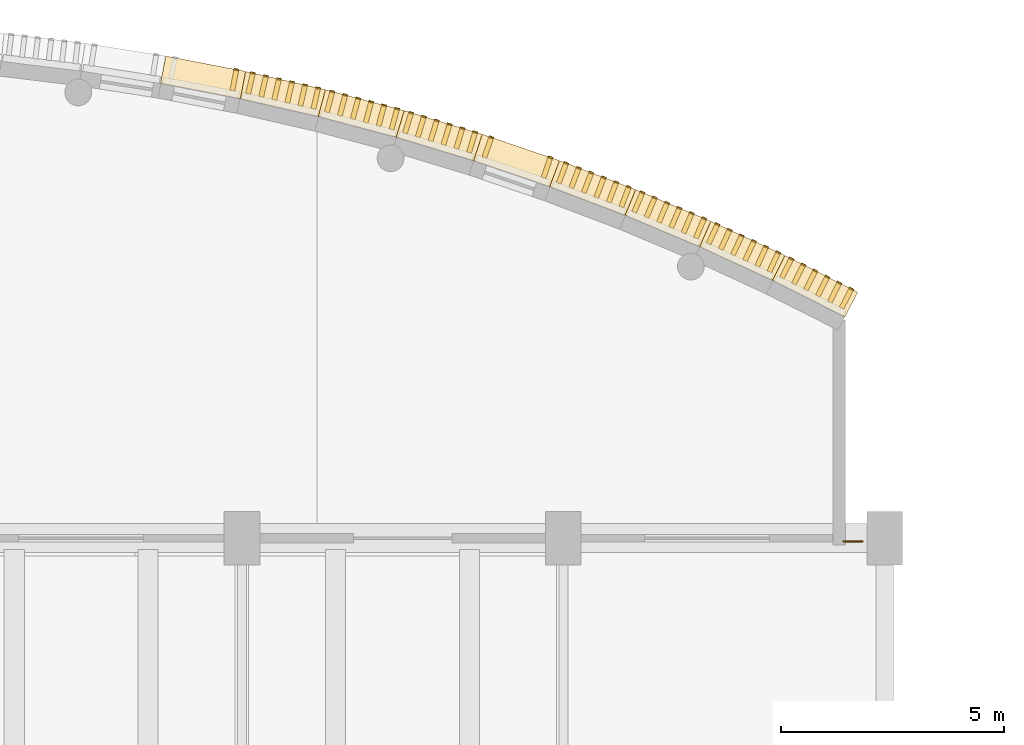
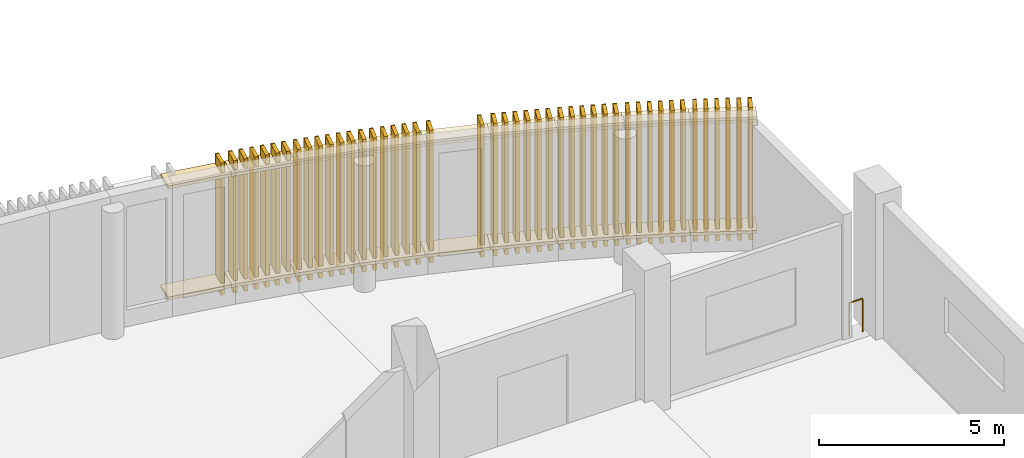
# One storey, part 69 of 71: 63 coverings, 45 shading devices, 1 railing.
"""IFC4 building model written with IfcOpenShell, lengths in metres."""

from ifc_helpers import new_model, si_unit, direction, frame, origin, origin_2d, place, context, subcontext, project, spatial, rectangle, circle, extrude, material, layer, layer_set, type_object, element, save


model = new_model("IFC4")

# Units and contexts
model_context = context("Model", 3, precision=1e-05, world=origin(), true_north=direction((0.0, 1.0)))
body_context = subcontext(model_context, "Body", "Model", "MODEL_VIEW")
ifc_project = project(units=[si_unit("LENGTHUNIT", "METRE"), si_unit("AREAUNIT", "SQUARE_METRE"), si_unit("VOLUMEUNIT", "CUBIC_METRE"), si_unit("PLANEANGLEUNIT", "RADIAN"), si_unit("MASSUNIT", "GRAM", prefix="KILO")], contexts=[model_context])

# Site, building, storey
site_placement = place(None, origin())
site = spatial("IfcSite", under=ifc_project, at=site_placement, CompositionType="ELEMENT")
building_placement = place(site_placement, origin())
building = spatial("IfcBuilding", under=site, at=building_placement, Name="Sardonyx Promenade Sports Hall", CompositionType="ELEMENT")
storey_placement = place(building_placement, frame((0.0, 0.0, 16.0)))
storey = spatial("IfcBuildingStorey", under=building, at=storey_placement, Name="L03", CompositionType="ELEMENT", Elevation=16.0)

# Coverings
ifc_material_1 = material(Name="Glulam GL28h", Category="wood")
ifc_layer = layer(ifc_material_1, 0.110107421875)
ifc_layer_set = layer_set([ifc_layer], Name="Cov_Louvre_GL28h")
covering_type = type_object("IfcCoveringType", Name="Cov_Louvre_GL28h", PredefinedType="MOLDING", material=ifc_layer_set)
for number, where, z_axis, x_axis, name in (
    (1, (63.93017578125, 114.72412109375, 0.320068359375), (0.0, 0.0, 1.0), (0.981929658139, -0.18924625879, 0.0), "Bowed louvre carrier rail L03 CH20 #1"),
    (2, (63.93017578125, 114.72412109375, 3.97998046875), (0.0, 0.0, 1.0), (0.981929658139, -0.18924625879, 0.0), "Bowed louvre carrier rail L03 CH20 #2"),
):
    element("IfcCovering", number, at=place(storey_placement, frame(where, z_axis=z_axis, x_axis=x_axis)), inside=storey, type_object=covering_type, Name=name, PredefinedType="MOLDING", context=body_context, shape_type="SweptSolid", body=[
        extrude(rectangle(XDim=1.820068359375, YDim=0.6201171875, at=origin_2d()), origin(), (0.0, 0.0, 1.0), 0.10009765625),
    ])
covering_placement = place(storey_placement, frame((64.67626953125, 114.89599609375, 0.02001953125), z_axis=(0.0, 0.0, 1.0), x_axis=(0.981929658139, -0.18924625879, 0.0)))
element("IfcCovering", 3, at=covering_placement, inside=storey, type_object=covering_type, Name="Timber louvre nose molding L03 CH20 #2", PredefinedType="MOLDING", context=body_context, shape_type="SweptSolid", body=[
    extrude(rectangle(XDim=0.110107421875, YDim=0.0400390625, at=origin_2d()), origin(), (0.0, 0.0, 1.0), 4.360107421875),
])
for number, where, z_axis, x_axis, name in (
    (4, (65.70751953125, 114.349365234375, 0.320068359375), (0.0, 0.0, 1.0), (0.974791577465, -0.223117414163, 0.0), "Bowed louvre carrier rail L03 CH21 #1"),
    (5, (65.70751953125, 114.349365234375, 3.97998046875), (0.0, 0.0, 1.0), (0.974791577465, -0.223117414163, 0.0), "Bowed louvre carrier rail L03 CH21 #2"),
):
    element("IfcCovering", number, at=place(storey_placement, frame(where, z_axis=z_axis, x_axis=x_axis)), inside=storey, type_object=covering_type, Name=name, PredefinedType="MOLDING", context=body_context, shape_type="SweptSolid", body=[
        extrude(rectangle(XDim=1.820068359375, YDim=0.6201171875, at=origin_2d()), origin(), (0.0, 0.0, 1.0), 0.10009765625),
    ])
for number, where, z_axis, x_axis, name in (
    (6, (65.04541015625, 114.819091796875, 0.02001953125), (0.0, 0.0, 1.0), (0.974791577465, -0.223117414163, 0.0), "Timber louvre nose molding L03 CH21 #1"),
    (7, (65.337890625, 114.751953125, 0.02001953125), (0.0, 0.0, 1.0), (0.974791577465, -0.223117414163, 0.0), "Timber louvre nose molding L03 CH21 #2"),
    (8, (65.63037109375, 114.68505859375, 0.02001953125), (0.0, 0.0, 1.0), (0.974791577465, -0.223117414163, 0.0), "Timber louvre nose molding L03 CH21 #3"),
    (9, (65.9228515625, 114.6181640625, 0.02001953125), (0.0, 0.0, 1.0), (0.974791577465, -0.223117414163, 0.0), "Timber louvre nose molding L03 CH21 #4"),
    (10, (66.21533203125, 114.55126953125, 0.02001953125), (0.0, 0.0, 1.0), (0.974791577465, -0.223117414163, 0.0), "Timber louvre nose molding L03 CH21 #5"),
    (11, (66.5078125, 114.484375, 0.02001953125), (0.0, 0.0, 1.0), (0.974791577465, -0.223117414163, 0.0), "Timber louvre nose molding L03 CH21 #6"),
):
    element("IfcCovering", number, at=place(storey_placement, frame(where, z_axis=z_axis, x_axis=x_axis)), inside=storey, type_object=covering_type, Name=name, PredefinedType="MOLDING", context=body_context, shape_type="SweptSolid", body=[
        extrude(rectangle(XDim=0.110107421875, YDim=0.0400390625, at=origin_2d()), origin(), (0.0, 0.0, 1.0), 4.360107421875),
    ])
for number, where, z_axis, x_axis, name in (
    (12, (67.470703125, 113.91357421875, 0.320068359375), (0.0, 0.0, 1.0), (0.966485494347, -0.256721228607, 0.0), "Bowed louvre carrier rail L03 CH22 #1"),
    (13, (67.470703125, 113.91357421875, 3.97998046875), (0.0, 0.0, 1.0), (0.966485494347, -0.256721228607, 0.0), "Bowed louvre carrier rail L03 CH22 #2"),
):
    element("IfcCovering", number, at=place(storey_placement, frame(where, z_axis=z_axis, x_axis=x_axis)), inside=storey, type_object=covering_type, Name=name, PredefinedType="MOLDING", context=body_context, shape_type="SweptSolid", body=[
        extrude(rectangle(XDim=1.820068359375, YDim=0.6201171875, at=origin_2d()), origin(), (0.0, 0.0, 1.0), 0.10009765625),
    ])
for number, where, z_axis, x_axis, name in (
    (14, (66.825439453125, 114.40576171875, 0.02001953125), (0.0, 0.0, 1.0), (0.966485494347, -0.256721228607, 0.0), "Timber louvre nose molding L03 CH22 #1"),
    (15, (67.115478515625, 114.328857421875, 0.02001953125), (0.0, 0.0, 1.0), (0.966485494347, -0.256721228607, 0.0), "Timber louvre nose molding L03 CH22 #2"),
    (16, (67.4052734375, 114.251708984375, 0.02001953125), (0.0, 0.0, 1.0), (0.966485494347, -0.256721228607, 0.0), "Timber louvre nose molding L03 CH22 #3"),
    (17, (67.6953125, 114.1748046875, 0.02001953125), (0.0, 0.0, 1.0), (0.966485494347, -0.256721228607, 0.0), "Timber louvre nose molding L03 CH22 #4"),
    (18, (67.9853515625, 114.09765625, 0.02001953125), (0.0, 0.0, 1.0), (0.966485494347, -0.256721228607, 0.0), "Timber louvre nose molding L03 CH22 #5"),
    (19, (68.275146484375, 114.020751953125, 0.02001953125), (0.0, 0.0, 1.0), (0.966485494347, -0.256721228607, 0.0), "Timber louvre nose molding L03 CH22 #6"),
):
    element("IfcCovering", number, at=place(storey_placement, frame(where, z_axis=z_axis, x_axis=x_axis)), inside=storey, type_object=covering_type, Name=name, PredefinedType="MOLDING", context=body_context, shape_type="SweptSolid", body=[
        extrude(rectangle(XDim=0.110107421875, YDim=0.0400390625, at=origin_2d()), origin(), (0.0, 0.0, 1.0), 4.360107421875),
    ])
for number, where, z_axis, x_axis, name in (
    (20, (69.2177734375, 113.4169921875, 0.320068359375), (0.0, 0.0, 1.0), (0.957021361193, -0.290017437786, 0.0), "Bowed louvre carrier rail L03 CH23 #1"),
    (21, (69.2177734375, 113.4169921875, 3.97998046875), (0.0, 0.0, 1.0), (0.957021361193, -0.290017437786, 0.0), "Bowed louvre carrier rail L03 CH23 #2"),
):
    element("IfcCovering", number, at=place(storey_placement, frame(where, z_axis=z_axis, x_axis=x_axis)), inside=storey, type_object=covering_type, Name=name, PredefinedType="MOLDING", context=body_context, shape_type="SweptSolid", body=[
        extrude(rectangle(XDim=1.820068359375, YDim=0.6201171875, at=origin_2d()), origin(), (0.0, 0.0, 1.0), 0.10009765625),
    ])
for number, where, z_axis, x_axis, name in (
    (22, (68.590087890625, 113.93115234375, 0.02001953125), (0.0, 0.0, 1.0), (0.957021361193, -0.290017437786, 0.0), "Timber louvre nose molding L03 CH23 #1"),
    (23, (68.877197265625, 113.84423828125, 0.02001953125), (0.0, 0.0, 1.0), (0.957021361193, -0.290017437786, 0.0), "Timber louvre nose molding L03 CH23 #2"),
    (24, (69.164306640625, 113.757080078125, 0.02001953125), (0.0, 0.0, 1.0), (0.957021361193, -0.290017437786, 0.0), "Timber louvre nose molding L03 CH23 #3"),
    (25, (69.451416015625, 113.670166015625, 0.02001953125), (0.0, 0.0, 1.0), (0.957021361193, -0.290017437786, 0.0), "Timber louvre nose molding L03 CH23 #4"),
    (26, (69.738525390625, 113.583251953125, 0.02001953125), (0.0, 0.0, 1.0), (0.957021361193, -0.290017437786, 0.0), "Timber louvre nose molding L03 CH23 #5"),
    (27, (70.025634765625, 113.49609375, 0.02001953125), (0.0, 0.0, 1.0), (0.957021361193, -0.290017437786, 0.0), "Timber louvre nose molding L03 CH23 #6"),
):
    element("IfcCovering", number, at=place(storey_placement, frame(where, z_axis=z_axis, x_axis=x_axis)), inside=storey, type_object=covering_type, Name=name, PredefinedType="MOLDING", context=body_context, shape_type="SweptSolid", body=[
        extrude(rectangle(XDim=0.110107421875, YDim=0.0400390625, at=origin_2d()), origin(), (0.0, 0.0, 1.0), 4.360107421875),
    ])
for number, where, z_axis, x_axis, name in (
    (28, (70.94677734375, 112.8603515625, 0.320068359375), (0.0, 0.0, 1.0), (0.946410517999, -0.322966145935, 0.0), "Bowed louvre carrier rail L03 CH24 #1"),
    (29, (70.94677734375, 112.8603515625, 3.97998046875), (0.0, 0.0, 1.0), (0.946410517999, -0.322966145935, 0.0), "Bowed louvre carrier rail L03 CH24 #2"),
):
    element("IfcCovering", number, at=place(storey_placement, frame(where, z_axis=z_axis, x_axis=x_axis)), inside=storey, type_object=covering_type, Name=name, PredefinedType="MOLDING", context=body_context, shape_type="SweptSolid", body=[
        extrude(rectangle(XDim=1.820068359375, YDim=0.6201171875, at=origin_2d()), origin(), (0.0, 0.0, 1.0), 0.10009765625),
    ])
for number, where, z_axis, x_axis, name in (
    (30, (70.384521484375, 113.379638671875, 0.02001953125), (0.0, 0.0, 1.0), (0.946410517999, -0.322966145935, 0.0), "Timber louvre nose molding L03 CH24 #1"),
    (31, (71.70947265625, 112.927490234375, 0.02001953125), (0.0, 0.0, 1.0), (0.946410517999, -0.322966145935, 0.0), "Timber louvre nose molding L03 CH24 #2"),
):
    element("IfcCovering", number, at=place(storey_placement, frame(where, z_axis=z_axis, x_axis=x_axis)), inside=storey, type_object=covering_type, Name=name, PredefinedType="MOLDING", context=body_context, shape_type="SweptSolid", body=[
        extrude(rectangle(XDim=0.110107421875, YDim=0.0400390625, at=origin_2d()), origin(), (0.0, 0.0, 1.0), 4.360107421875),
    ])
for number, where, z_axis, x_axis, name in (
    (32, (72.6552734375, 112.243896484375, 0.320068359375), (0.0, 0.0, 1.0), (0.934665678755, -0.355527873671, 0.0), "Bowed louvre carrier rail L03 CH25 #1"),
    (33, (72.6552734375, 112.243896484375, 3.97998046875), (0.0, 0.0, 1.0), (0.934665678755, -0.355527873671, 0.0), "Bowed louvre carrier rail L03 CH25 #2"),
):
    element("IfcCovering", number, at=place(storey_placement, frame(where, z_axis=z_axis, x_axis=x_axis)), inside=storey, type_object=covering_type, Name=name, PredefinedType="MOLDING", context=body_context, shape_type="SweptSolid", body=[
        extrude(rectangle(XDim=1.820068359375, YDim=0.6201171875, at=origin_2d()), origin(), (0.0, 0.0, 1.0), 0.10009765625),
    ])
for number, where, z_axis, x_axis, name in (
    (34, (72.064697265625, 112.80029296875, 0.02001953125), (0.0, 0.0, 1.0), (0.934665678755, -0.355527873671, 0.0), "Timber louvre nose molding L03 CH25 #1"),
    (35, (72.344970703125, 112.693603515625, 0.02001953125), (0.0, 0.0, 1.0), (0.934665678755, -0.355527873671, 0.0), "Timber louvre nose molding L03 CH25 #2"),
    (36, (72.62548828125, 112.5869140625, 0.02001953125), (0.0, 0.0, 1.0), (0.934665678755, -0.355527873671, 0.0), "Timber louvre nose molding L03 CH25 #3"),
    (37, (72.90576171875, 112.48046875, 0.02001953125), (0.0, 0.0, 1.0), (0.934665678755, -0.355527873671, 0.0), "Timber louvre nose molding L03 CH25 #4"),
    (38, (73.186279296875, 112.373779296875, 0.02001953125), (0.0, 0.0, 1.0), (0.934665678755, -0.355527873671, 0.0), "Timber louvre nose molding L03 CH25 #5"),
    (39, (73.466552734375, 112.26708984375, 0.02001953125), (0.0, 0.0, 1.0), (0.934665678755, -0.355527873671, 0.0), "Timber louvre nose molding L03 CH25 #6"),
):
    element("IfcCovering", number, at=place(storey_placement, frame(where, z_axis=z_axis, x_axis=x_axis)), inside=storey, type_object=covering_type, Name=name, PredefinedType="MOLDING", context=body_context, shape_type="SweptSolid", body=[
        extrude(rectangle(XDim=0.110107421875, YDim=0.0400390625, at=origin_2d()), origin(), (0.0, 0.0, 1.0), 4.360107421875),
    ])
for number, where, z_axis, x_axis, name in (
    (40, (74.341552734375, 111.56884765625, 0.320068359375), (0.0, 0.0, 1.0), (0.921800239612, -0.387665214136, 0.0), "Bowed louvre carrier rail L03 CH26 #1"),
    (41, (74.341552734375, 111.56884765625, 3.97998046875), (0.0, 0.0, 1.0), (0.921800239612, -0.387665214136, 0.0), "Bowed louvre carrier rail L03 CH26 #2"),
):
    element("IfcCovering", number, at=place(storey_placement, frame(where, z_axis=z_axis, x_axis=x_axis)), inside=storey, type_object=covering_type, Name=name, PredefinedType="MOLDING", context=body_context, shape_type="SweptSolid", body=[
        extrude(rectangle(XDim=1.820068359375, YDim=0.6201171875, at=origin_2d()), origin(), (0.0, 0.0, 1.0), 0.10009765625),
    ])
for number, where, z_axis, x_axis, name in (
    (42, (73.7705078125, 112.1455078125, 0.02001953125), (0.0, 0.0, 1.0), (0.921800239612, -0.387665214136, 0.0), "Timber louvre nose molding L03 CH26 #1"),
    (43, (74.046875, 112.029052734375, 0.02001953125), (0.0, 0.0, 1.0), (0.921800239612, -0.387665214136, 0.0), "Timber louvre nose molding L03 CH26 #2"),
    (44, (74.323486328125, 111.912841796875, 0.02001953125), (0.0, 0.0, 1.0), (0.921800239612, -0.387665214136, 0.0), "Timber louvre nose molding L03 CH26 #3"),
    (45, (74.60009765625, 111.796630859375, 0.02001953125), (0.0, 0.0, 1.0), (0.921800239612, -0.387665214136, 0.0), "Timber louvre nose molding L03 CH26 #4"),
    (46, (74.876708984375, 111.68017578125, 0.02001953125), (0.0, 0.0, 1.0), (0.921800239612, -0.387665214136, 0.0), "Timber louvre nose molding L03 CH26 #5"),
    (47, (75.153076171875, 111.56396484375, 0.02001953125), (0.0, 0.0, 1.0), (0.921800239612, -0.387665214136, 0.0), "Timber louvre nose molding L03 CH26 #6"),
):
    element("IfcCovering", number, at=place(storey_placement, frame(where, z_axis=z_axis, x_axis=x_axis)), inside=storey, type_object=covering_type, Name=name, PredefinedType="MOLDING", context=body_context, shape_type="SweptSolid", body=[
        extrude(rectangle(XDim=0.110107421875, YDim=0.0400390625, at=origin_2d()), origin(), (0.0, 0.0, 1.0), 4.360107421875),
    ])
for number, where, z_axis, x_axis, name in (
    (48, (76.00341796875, 110.8359375, 0.320068359375), (0.0, 0.0, 1.0), (0.90783091315, -0.419336419989, 0.0), "Bowed louvre carrier rail L03 CH27 #1"),
    (49, (76.00341796875, 110.8359375, 3.97998046875), (0.0, 0.0, 1.0), (0.90783091315, -0.419336419989, 0.0), "Bowed louvre carrier rail L03 CH27 #2"),
):
    element("IfcCovering", number, at=place(storey_placement, frame(where, z_axis=z_axis, x_axis=x_axis)), inside=storey, type_object=covering_type, Name=name, PredefinedType="MOLDING", context=body_context, shape_type="SweptSolid", body=[
        extrude(rectangle(XDim=1.820068359375, YDim=0.6201171875, at=origin_2d()), origin(), (0.0, 0.0, 1.0), 0.10009765625),
    ])
for number, where, z_axis, x_axis, name in (
    (50, (75.45263671875, 111.431884765625, 0.02001953125), (0.0, 0.0, 1.0), (0.90783091315, -0.419336419989, 0.0), "Timber louvre nose molding L03 CH27 #1"),
    (51, (75.724853515625, 111.30615234375, 0.02001953125), (0.0, 0.0, 1.0), (0.90783091315, -0.419336419989, 0.0), "Timber louvre nose molding L03 CH27 #2"),
    (52, (75.997314453125, 111.18017578125, 0.02001953125), (0.0, 0.0, 1.0), (0.90783091315, -0.419336419989, 0.0), "Timber louvre nose molding L03 CH27 #3"),
    (53, (76.269775390625, 111.054443359375, 0.02001953125), (0.0, 0.0, 1.0), (0.90783091315, -0.419336419989, 0.0), "Timber louvre nose molding L03 CH27 #4"),
    (54, (76.5419921875, 110.9287109375, 0.02001953125), (0.0, 0.0, 1.0), (0.90783091315, -0.419336419989, 0.0), "Timber louvre nose molding L03 CH27 #5"),
    (55, (76.814453125, 110.802734375, 0.02001953125), (0.0, 0.0, 1.0), (0.90783091315, -0.419336419989, 0.0), "Timber louvre nose molding L03 CH27 #6"),
):
    element("IfcCovering", number, at=place(storey_placement, frame(where, z_axis=z_axis, x_axis=x_axis)), inside=storey, type_object=covering_type, Name=name, PredefinedType="MOLDING", context=body_context, shape_type="SweptSolid", body=[
        extrude(rectangle(XDim=0.110107421875, YDim=0.0400390625, at=origin_2d()), origin(), (0.0, 0.0, 1.0), 4.360107421875),
    ])
for number, where, z_axis, x_axis, name in (
    (56, (77.638916015625, 110.0458984375, 0.320068359375), (0.0, 0.0, 1.0), (0.892773817004, -0.450505173857, 0.0), "Bowed louvre carrier rail L03 CH28 #1"),
    (57, (77.638916015625, 110.0458984375, 3.97998046875), (0.0, 0.0, 1.0), (0.892773817004, -0.450505173857, 0.0), "Bowed louvre carrier rail L03 CH28 #2"),
):
    element("IfcCovering", number, at=place(storey_placement, frame(where, z_axis=z_axis, x_axis=x_axis)), inside=storey, type_object=covering_type, Name=name, PredefinedType="MOLDING", context=body_context, shape_type="SweptSolid", body=[
        extrude(rectangle(XDim=1.820068359375, YDim=0.6201171875, at=origin_2d()), origin(), (0.0, 0.0, 1.0), 0.10009765625),
    ])
for number, where, z_axis, x_axis, name in (
    (58, (77.109130859375, 110.660400390625, 0.02001953125), (0.0, 0.0, 1.0), (0.892773817004, -0.450505173857, 0.0), "Timber louvre nose molding L03 CH28 #1"),
    (59, (77.376953125, 110.525390625, 0.02001953125), (0.0, 0.0, 1.0), (0.892773817004, -0.450505173857, 0.0), "Timber louvre nose molding L03 CH28 #2"),
    (60, (77.644775390625, 110.39013671875, 0.02001953125), (0.0, 0.0, 1.0), (0.892773817004, -0.450505173857, 0.0), "Timber louvre nose molding L03 CH28 #3"),
    (61, (77.91259765625, 110.2548828125, 0.02001953125), (0.0, 0.0, 1.0), (0.892773817004, -0.450505173857, 0.0), "Timber louvre nose molding L03 CH28 #4"),
    (62, (78.180419921875, 110.119873046875, 0.02001953125), (0.0, 0.0, 1.0), (0.892773817004, -0.450505173857, 0.0), "Timber louvre nose molding L03 CH28 #5"),
    (63, (78.4482421875, 109.984619140625, 0.02001953125), (0.0, 0.0, 1.0), (0.892773817004, -0.450505173857, 0.0), "Timber louvre nose molding L03 CH28 #6"),
):
    element("IfcCovering", number, at=place(storey_placement, frame(where, z_axis=z_axis, x_axis=x_axis)), inside=storey, type_object=covering_type, Name=name, PredefinedType="MOLDING", context=body_context, shape_type="SweptSolid", body=[
        extrude(rectangle(XDim=0.110107421875, YDim=0.0400390625, at=origin_2d()), origin(), (0.0, 0.0, 1.0), 4.360107421875),
    ])

# Railing
ifc_material_2 = material(Name="Powder-coated Steel S355JR", Category="steel")
railing_type = type_object("IfcRailingType", Name="Rail_Int_Guard_1100", PredefinedType="GUARDRAIL", material=ifc_material_2)
railing_placement = place(storey_placement, frame((78.699951171875, 104.330078125, 0.0)))
element("IfcRailing", 64, at=railing_placement, inside=storey, type_object=railing_type, Name="Deck-edge guardrail GR02 L03 #73", PredefinedType="GUARDRAIL", context=body_context, shape_type="SweptSolid", body=[
    extrude(circle(Radius=0.02392578125, at=origin_2d()), frame((0.0, 0.0, 1.09619140625), z_axis=(-1.0, 0.0, 0.0), x_axis=(0.0, -1.0, 0.0)), (0.0, 0.0, 1.0), 0.423583984375),
    extrude(circle(Radius=0.02099609375, at=origin_2d()), origin(), (0.0, 0.0, 1.0), 1.072021484375),
    extrude(circle(Radius=0.02099609375, at=origin_2d()), frame((-0.423583984375, 0.0, 0.0)), (0.0, 0.0, 1.0), 1.072021484375),
])

# Shading devices
ifc_material_3 = material(Name="Glulam GL28h", Category="wood")
shading_device_type_1 = type_object("IfcShadingDeviceType", Name="Shade_Fin_GL28h", PredefinedType="USERDEFINED", material=ifc_material_3)
for number, where, z_axis, x_axis, name in (
    (65, (64.628857, 114.650467, 0.02), (0.0, 0.0, 1.0), (0.98192966, -0.18924626, 0.0), "Timber fin TF01 L03 CH20 #2"),
    (66, (70.303671, 113.143102, 0.02), (0.0, 0.0, 1.0), (0.94641052, -0.32296615, 0.0), "Timber fin TF01 L03 CH24 #1"),
    (67, (71.628646, 112.690949, 0.02), (0.0, 0.0, 1.0), (0.94641052, -0.32296615, 0.0), "Timber fin TF01 L03 CH24 #2"),
):
    element("IfcShadingDevice", number, at=place(storey_placement, frame(where, z_axis=z_axis, x_axis=x_axis)), inside=storey, type_object=shading_device_type_1, material=ifc_material_3, Name=name, ObjectType="FIN", PredefinedType="USERDEFINED", context=body_context, shape_type="SweptSolid", body=[
        extrude(rectangle(XDim=0.11, YDim=0.46), origin(), (0.0, 0.0, 1.0), 4.36),
    ])
shading_device_type_2 = type_object("IfcShadingDeviceType", Name="Shade_Louvre_GL28h", PredefinedType="USERDEFINED", material=ifc_material_3)
for number, where, z_axis, x_axis, name in (
    (68, (64.989752, 114.575296, 0.02), (0.0, 0.0, 1.0), (0.97479158, -0.22311741, 0.0), "Timber louvre TL01 L03 CH21 #1"),
    (69, (65.28219, 114.508361, 0.02), (0.0, 0.0, 1.0), (0.97479158, -0.22311741, 0.0), "Timber louvre TL01 L03 CH21 #2"),
    (70, (65.574627, 114.441426, 0.02), (0.0, 0.0, 1.0), (0.97479158, -0.22311741, 0.0), "Timber louvre TL01 L03 CH21 #3"),
    (71, (65.867064, 114.37449, 0.02), (0.0, 0.0, 1.0), (0.97479158, -0.22311741, 0.0), "Timber louvre TL01 L03 CH21 #4"),
    (72, (66.159502, 114.307555, 0.02), (0.0, 0.0, 1.0), (0.97479158, -0.22311741, 0.0), "Timber louvre TL01 L03 CH21 #5"),
    (73, (66.451939, 114.24062, 0.02), (0.0, 0.0, 1.0), (0.97479158, -0.22311741, 0.0), "Timber louvre TL01 L03 CH21 #6"),
    (74, (66.761277, 114.164159, 0.02), (0.0, 0.0, 1.0), (0.96648549, -0.25672123, 0.0), "Timber louvre TL01 L03 CH22 #1"),
    (75, (67.051223, 114.087142, 0.02), (0.0, 0.0, 1.0), (0.96648549, -0.25672123, 0.0), "Timber louvre TL01 L03 CH22 #2"),
    (76, (67.341169, 114.010126, 0.02), (0.0, 0.0, 1.0), (0.96648549, -0.25672123, 0.0), "Timber louvre TL01 L03 CH22 #3"),
    (77, (67.631114, 113.933109, 0.02), (0.0, 0.0, 1.0), (0.96648549, -0.25672123, 0.0), "Timber louvre TL01 L03 CH22 #4"),
    (78, (67.92106, 113.856093, 0.02), (0.0, 0.0, 1.0), (0.96648549, -0.25672123, 0.0), "Timber louvre TL01 L03 CH22 #5"),
    (79, (68.211006, 113.779076, 0.02), (0.0, 0.0, 1.0), (0.96648549, -0.25672123, 0.0), "Timber louvre TL01 L03 CH22 #6"),
    (80, (68.517512, 113.691955, 0.02), (0.0, 0.0, 1.0), (0.95702136, -0.29001744, 0.0), "Timber louvre TL01 L03 CH23 #1"),
    (81, (68.804618, 113.604949, 0.02), (0.0, 0.0, 1.0), (0.95702136, -0.29001744, 0.0), "Timber louvre TL01 L03 CH23 #2"),
    (82, (69.091725, 113.517944, 0.02), (0.0, 0.0, 1.0), (0.95702136, -0.29001744, 0.0), "Timber louvre TL01 L03 CH23 #3"),
    (83, (69.378831, 113.430939, 0.02), (0.0, 0.0, 1.0), (0.95702136, -0.29001744, 0.0), "Timber louvre TL01 L03 CH23 #4"),
    (84, (69.665937, 113.343933, 0.02), (0.0, 0.0, 1.0), (0.95702136, -0.29001744, 0.0), "Timber louvre TL01 L03 CH23 #5"),
    (85, (69.953044, 113.256928, 0.02), (0.0, 0.0, 1.0), (0.95702136, -0.29001744, 0.0), "Timber louvre TL01 L03 CH23 #6"),
    (86, (71.97571, 112.566684, 0.02), (0.0, 0.0, 1.0), (0.93466568, -0.35552787, 0.0), "Timber louvre TL01 L03 CH25 #1"),
    (87, (72.25611, 112.460026, 0.02), (0.0, 0.0, 1.0), (0.93466568, -0.35552787, 0.0), "Timber louvre TL01 L03 CH25 #2"),
    (88, (72.536509, 112.353367, 0.02), (0.0, 0.0, 1.0), (0.93466568, -0.35552787, 0.0), "Timber louvre TL01 L03 CH25 #3"),
    (89, (72.816909, 112.246709, 0.02), (0.0, 0.0, 1.0), (0.93466568, -0.35552787, 0.0), "Timber louvre TL01 L03 CH25 #4"),
    (90, (73.097309, 112.14005, 0.02), (0.0, 0.0, 1.0), (0.93466568, -0.35552787, 0.0), "Timber louvre TL01 L03 CH25 #5"),
    (91, (73.377708, 112.033392, 0.02), (0.0, 0.0, 1.0), (0.93466568, -0.35552787, 0.0), "Timber louvre TL01 L03 CH25 #6"),
    (92, (73.673532, 111.914965, 0.02), (0.0, 0.0, 1.0), (0.92180024, -0.38766521, 0.0), "Timber louvre TL01 L03 CH26 #1"),
    (93, (73.950072, 111.798666, 0.02), (0.0, 0.0, 1.0), (0.92180024, -0.38766521, 0.0), "Timber louvre TL01 L03 CH26 #2"),
    (94, (74.226612, 111.682367, 0.02), (0.0, 0.0, 1.0), (0.92180024, -0.38766521, 0.0), "Timber louvre TL01 L03 CH26 #3"),
    (95, (74.503152, 111.566067, 0.02), (0.0, 0.0, 1.0), (0.92180024, -0.38766521, 0.0), "Timber louvre TL01 L03 CH26 #4"),
    (96, (74.779693, 111.449768, 0.02), (0.0, 0.0, 1.0), (0.92180024, -0.38766521, 0.0), "Timber louvre TL01 L03 CH26 #5"),
    (97, (75.056233, 111.333468, 0.02), (0.0, 0.0, 1.0), (0.92180024, -0.38766521, 0.0), "Timber louvre TL01 L03 CH26 #6"),
    (98, (75.34778, 111.204874, 0.02), (0.0, 0.0, 1.0), (0.90783091, -0.41933642, 0.0), "Timber louvre TL01 L03 CH27 #1"),
    (99, (75.620129, 111.079074, 0.02), (0.0, 0.0, 1.0), (0.90783091, -0.41933642, 0.0), "Timber louvre TL01 L03 CH27 #2"),
    (100, (75.892479, 110.953273, 0.02), (0.0, 0.0, 1.0), (0.90783091, -0.41933642, 0.0), "Timber louvre TL01 L03 CH27 #3"),
    (101, (76.164828, 110.827472, 0.02), (0.0, 0.0, 1.0), (0.90783091, -0.41933642, 0.0), "Timber louvre TL01 L03 CH27 #4"),
    (102, (76.437177, 110.701671, 0.02), (0.0, 0.0, 1.0), (0.90783091, -0.41933642, 0.0), "Timber louvre TL01 L03 CH27 #5"),
    (103, (76.709527, 110.57587, 0.02), (0.0, 0.0, 1.0), (0.90783091, -0.41933642, 0.0), "Timber louvre TL01 L03 CH27 #6"),
    (104, (76.996449, 110.437263, 0.02), (0.0, 0.0, 1.0), (0.89277382, -0.45050517, 0.0), "Timber louvre TL01 L03 CH28 #1"),
    (105, (77.264281, 110.302112, 0.02), (0.0, 0.0, 1.0), (0.89277382, -0.45050517, 0.0), "Timber louvre TL01 L03 CH28 #2"),
    (106, (77.532113, 110.16696, 0.02), (0.0, 0.0, 1.0), (0.89277382, -0.45050517, 0.0), "Timber louvre TL01 L03 CH28 #3"),
    (107, (77.799945, 110.031809, 0.02), (0.0, 0.0, 1.0), (0.89277382, -0.45050517, 0.0), "Timber louvre TL01 L03 CH28 #4"),
    (108, (78.067777, 109.896657, 0.02), (0.0, 0.0, 1.0), (0.89277382, -0.45050517, 0.0), "Timber louvre TL01 L03 CH28 #5"),
    (109, (78.33561, 109.761506, 0.02), (0.0, 0.0, 1.0), (0.89277382, -0.45050517, 0.0), "Timber louvre TL01 L03 CH28 #6"),
):
    element("IfcShadingDevice", number, at=place(storey_placement, frame(where, z_axis=z_axis, x_axis=x_axis)), inside=storey, type_object=shading_device_type_2, material=ifc_material_3, Name=name, ObjectType="LOUVRE", PredefinedType="USERDEFINED", context=body_context, shape_type="SweptSolid", body=[
        extrude(rectangle(XDim=0.11, YDim=0.46), origin(), (0.0, 0.0, 1.0), 4.36),
    ])

save(model, "model.ifc")
